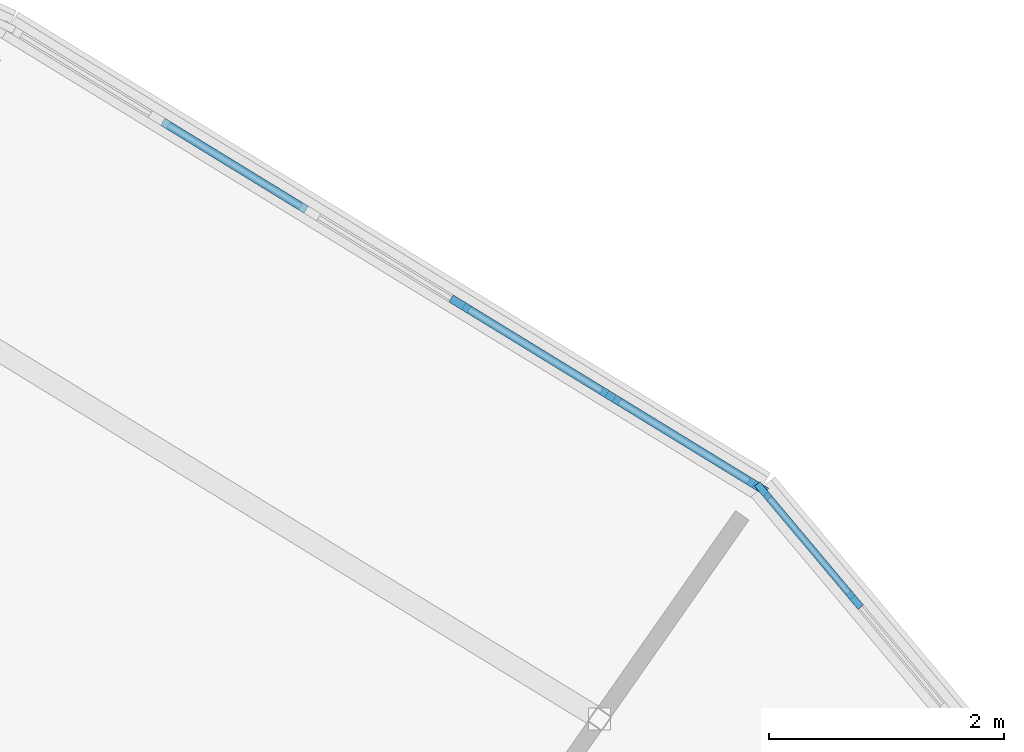
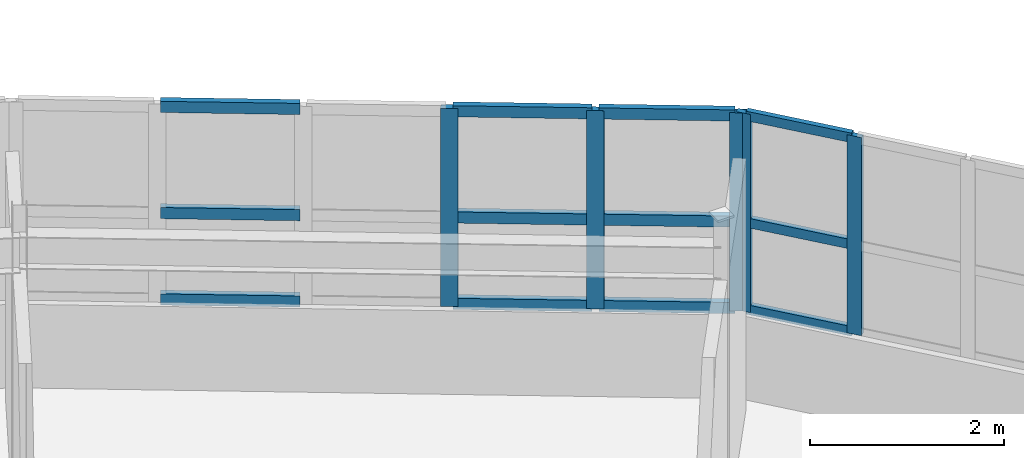
# One storey, part 44 of 79: 17 members, 2 elements without a shape of their own.
"""IFC4 building model written with IfcOpenShell, lengths in metres."""

from ifc_helpers import new_model, si_unit, direction, frame, origin, origin_2d, place, context, subcontext, project, spatial, rectangle, extrude, material, layer, layer_set, material_profile, profile_set, type_object, element, aggregate, save


model = new_model("IFC4")

# Units and contexts
model_context = context("Model", 3, precision=1e-05, world=origin(), true_north=direction((0.0, 1.0)))
body_context = subcontext(model_context, "Body", "Model", "MODEL_VIEW")
ifc_project = project(units=[si_unit("LENGTHUNIT", "METRE"), si_unit("AREAUNIT", "SQUARE_METRE"), si_unit("VOLUMEUNIT", "CUBIC_METRE"), si_unit("PLANEANGLEUNIT", "RADIAN"), si_unit("MASSUNIT", "GRAM", prefix="KILO")], contexts=[model_context])

# Site, building, storey
site_placement = place(None, origin())
site = spatial("IfcSite", under=ifc_project, at=site_placement, CompositionType="ELEMENT")
building_placement = place(site_placement, origin())
building = spatial("IfcBuilding", under=site, at=building_placement, Name="Tarnwether General Hospital", CompositionType="ELEMENT")
storey_placement = place(building_placement, frame((0.0, 0.0, 18.300048828125)))
storey = spatial("IfcBuildingStorey", under=building, at=storey_placement, Name="L04", CompositionType="ELEMENT", Elevation=18.300048828125)

# Curtain wall, members
ifc_material_1 = material(Name="Anodised aluminium", Category="aluminium")
ifc_layer_1 = layer(ifc_material_1, 0.159912109375)
ifc_layer_set_1 = layer_set([ifc_layer_1], Name="Anodised aluminium")
curtain_wall_type_1 = type_object("IfcCurtainWallType", Name="CW-04", PredefinedType="NOTDEFINED", material=ifc_layer_set_1)
curtain_wall_1_placement = place(storey_placement, origin())
curtain_wall_1 = element("IfcCurtainWall", 1, at=curtain_wall_1_placement, inside=storey, type_object=curtain_wall_type_1, Name="Curtain Wall CWG-L04-1273_1135-0053", PredefinedType="NOTDEFINED")
ifc_material_2 = material(Name="Anodised aluminium", Category="aluminium")
ifc_material_profile_1 = material_profile(ifc_material_2, rectangle(XDim=0.06005859375, YDim=0.159912109375, at=origin_2d()), Name="ALU-MUL-60x160")
ifc_profile_set_1 = profile_set([ifc_material_profile_1], Name="Anodised aluminium")
member_type_1 = type_object("IfcMemberType", Name="CW-ML1", PredefinedType="MULLION", material=ifc_profile_set_1)
member_1_placement = place(storey_placement, frame((127.351318359375, 113.43701171875, 1.050048828125), z_axis=(0.0, 0.0, 1.0), x_axis=(0.765990176896, 0.64285227611, 0.0)))
member_1 = element("IfcMember", 2, at=member_1_placement, type_object=member_type_1, Name="CW-04 mullion 1", PredefinedType="MULLION", context=body_context, shape_type="SweptSolid", body=[
    extrude(rectangle(XDim=0.06005859375, YDim=0.159912109375, at=origin_2d()), origin(), (0.0, 0.0, 1.0), 2.489990234375),
])
member_2_placement = place(storey_placement, frame((128.130859375, 112.50830078125, 1.050048828125), z_axis=(0.0, 0.0, 1.0), x_axis=(0.765990176896, 0.64285227611, 0.0)))
member_2 = element("IfcMember", 3, at=member_2_placement, type_object=member_type_1, Name="CW-04 mullion 2", PredefinedType="MULLION", context=body_context, shape_type="SweptSolid", body=[
    extrude(rectangle(XDim=0.06005859375, YDim=0.159912109375, at=origin_2d()), origin(), (0.0, 0.0, 1.0), 2.489990234375),
])

ifc_material_3 = material(Name="Anodised aluminium", Category="aluminium")
ifc_layer_2 = layer(ifc_material_3, 0.159912109375)
ifc_layer_set_2 = layer_set([ifc_layer_2], Name="Anodised aluminium")
curtain_wall_type_2 = type_object("IfcCurtainWallType", Name="CW-02", PredefinedType="NOTDEFINED", material=ifc_layer_set_2)
curtain_wall_2_placement = place(storey_placement, origin())
curtain_wall_2 = element("IfcCurtainWall", 4, at=curtain_wall_2_placement, inside=storey, type_object=curtain_wall_type_2, Name="Curtain Wall CWG-L04-1209_1174-0054", PredefinedType="NOTDEFINED")
ifc_material_4 = material(Name="Anodised aluminium", Category="aluminium")
ifc_material_profile_2 = material_profile(ifc_material_4, rectangle(XDim=0.070068359375, YDim=0.179931640625, at=origin_2d()), Name="ALU-MUL-70x180")
ifc_profile_set_2 = profile_set([ifc_material_profile_2], Name="Anodised aluminium")
member_type_2 = type_object("IfcMemberType", Name="CW-ML2", PredefinedType="MULLION", material=ifc_profile_set_2)
member_3_placement = place(storey_placement, frame((124.766845703125, 115.031982421875, 1.050048828125), z_axis=(0.0, 0.0, 1.0), x_axis=(0.522509056361, 0.852633734977, 0.0)))
member_3 = element("IfcMember", 5, at=member_3_placement, type_object=member_type_2, Name="CW-02 mullion 4", PredefinedType="MULLION", context=body_context, shape_type="SweptSolid", body=[
    extrude(rectangle(XDim=0.070068359375, YDim=0.179931640625, at=origin_2d()), origin(), (0.0, 0.0, 1.0), 2.489990234375),
])
member_4_placement = place(storey_placement, frame((126.04931640625, 114.24609375, 1.050048828125), z_axis=(0.0, 0.0, 1.0), x_axis=(0.522509056361, 0.852633734977, 0.0)))
member_4 = element("IfcMember", 6, at=member_4_placement, type_object=member_type_2, Name="CW-02 mullion 5", PredefinedType="MULLION", context=body_context, shape_type="SweptSolid", body=[
    extrude(rectangle(XDim=0.070068359375, YDim=0.179931640625, at=origin_2d()), origin(), (0.0, 0.0, 1.0), 2.489990234375),
])
member_5_placement = place(storey_placement, frame((127.30224609375, 113.478271484375, 1.050048828125), z_axis=(0.0, 0.0, 1.0), x_axis=(0.522509056361, 0.852633734977, 0.0)))
member_5 = element("IfcMember", 7, at=member_5_placement, type_object=member_type_2, Name="CW-02 mullion 6", PredefinedType="MULLION", context=body_context, shape_type="SweptSolid", body=[
    extrude(rectangle(XDim=0.070068359375, YDim=0.179931640625, at=origin_2d()), origin(), (0.0, 0.0, 1.0), 2.489990234375),
])

# Member
ifc_material_5 = material(Name="Anodised aluminium", Category="aluminium")
ifc_material_profile_3 = material_profile(ifc_material_5, rectangle(XDim=0.06005859375, YDim=0.1201171875, at=origin_2d()), Name="ALU-TRN-60x120")
ifc_profile_set_3 = profile_set([ifc_material_profile_3], Name="Anodised aluminium")
member_type_3 = type_object("IfcMemberType", Name="CW-TR1", PredefinedType="USERDEFINED", material=ifc_profile_set_3)
member_6_placement = place(storey_placement, frame((127.37060546875, 113.4140625, 1.079833984375), z_axis=(0.642889003043, -0.765959352555, 0.0), x_axis=(0.765959352555, 0.642889003043, 0.0)))
member_6 = element("IfcMember", 8, at=member_6_placement, type_object=member_type_3, Name="CW-04 transom 1.1", ObjectType="TRANSOM", PredefinedType="USERDEFINED", context=body_context, shape_type="SweptSolid", body=[
    extrude(rectangle(XDim=0.06005859375, YDim=0.1201171875, at=origin_2d()), origin(), (0.0, 0.0, 1.0), 1.152587890625),
])

member_7_placement = place(storey_placement, frame((127.37060546875, 113.4140625, 2.17041015625), z_axis=(0.642889003043, -0.765959352555, 0.0), x_axis=(0.765959352555, 0.642889003043, 0.0)))
member_7 = element("IfcMember", 9, at=member_7_placement, type_object=member_type_3, Name="CW-04 transom 1.2", ObjectType="TRANSOM", PredefinedType="USERDEFINED", context=body_context, shape_type="SweptSolid", body=[
    extrude(rectangle(XDim=0.06005859375, YDim=0.1201171875, at=origin_2d()), origin(), (0.0, 0.0, 1.0), 1.152587890625),
])

member_8_placement = place(storey_placement, frame((127.37060546875, 113.4140625, 3.510009765625), z_axis=(0.642889003043, -0.765959352555, 0.0), x_axis=(0.765959352555, 0.642889003043, 0.0)))
member_8 = element("IfcMember", 10, at=member_8_placement, type_object=member_type_3, Name="CW-04 transom 1.3", ObjectType="TRANSOM", PredefinedType="USERDEFINED", context=body_context, shape_type="SweptSolid", body=[
    extrude(rectangle(XDim=0.06005859375, YDim=0.1201171875, at=origin_2d()), origin(), (0.0, 0.0, 1.0), 1.152587890625),
])

aggregate(curtain_wall_1, [member_1, member_2, member_6, member_7, member_8])

ifc_material_6 = material(Name="Anodised aluminium", Category="aluminium")
ifc_material_profile_4 = material_profile(ifc_material_6, rectangle(XDim=0.070068359375, YDim=0.139892578125, at=origin_2d()), Name="ALU-TRN-70x140")
ifc_profile_set_4 = profile_set([ifc_material_profile_4], Name="Anodised aluminium")
member_type_4 = type_object("IfcMemberType", Name="CW-TR2", PredefinedType="USERDEFINED", material=ifc_profile_set_4)
member_9_placement = place(storey_placement, frame((122.2314453125, 116.585693359375, 1.0849609375), z_axis=(0.85260369875, -0.522558066513, 0.0), x_axis=(0.522558066513, 0.85260369875, 0.0)))
member_9 = element("IfcMember", 11, at=member_9_placement, type_object=member_type_4, Name="CW-02 transom 2.1", ObjectType="TRANSOM", PredefinedType="USERDEFINED", context=body_context, shape_type="SweptSolid", body=[
    extrude(rectangle(XDim=0.070068359375, YDim=0.139892578125, at=origin_2d()), origin(), (0.0, 0.0, 1.0), 1.434326171875),
])

member_10_placement = place(storey_placement, frame((122.2314453125, 116.585693359375, 2.17041015625), z_axis=(0.85260369875, -0.522558066513, 0.0), x_axis=(0.522558066513, 0.85260369875, 0.0)))
member_10 = element("IfcMember", 12, at=member_10_placement, type_object=member_type_4, Name="CW-02 transom 2.2", ObjectType="TRANSOM", PredefinedType="USERDEFINED", context=body_context, shape_type="SweptSolid", body=[
    extrude(rectangle(XDim=0.070068359375, YDim=0.139892578125, at=origin_2d()), origin(), (0.0, 0.0, 1.0), 1.434326171875),
])

member_11_placement = place(storey_placement, frame((122.2314453125, 116.585693359375, 3.5048828125), z_axis=(0.85260369875, -0.522558066513, 0.0), x_axis=(0.522558066513, 0.85260369875, 0.0)))
member_11 = element("IfcMember", 13, at=member_11_placement, type_object=member_type_4, Name="CW-02 transom 2.3", ObjectType="TRANSOM", PredefinedType="USERDEFINED", context=body_context, shape_type="SweptSolid", body=[
    extrude(rectangle(XDim=0.070068359375, YDim=0.139892578125, at=origin_2d()), origin(), (0.0, 0.0, 1.0), 1.434326171875),
])

member_12_placement = place(storey_placement, frame((124.796630859375, 115.013671875, 1.0849609375), z_axis=(0.852679532957, -0.522434315561, 0.0), x_axis=(0.522434315561, 0.852679532957, 0.0)))
member_12 = element("IfcMember", 14, at=member_12_placement, type_object=member_type_4, Name="CW-02 transom 4.1", ObjectType="TRANSOM", PredefinedType="USERDEFINED", context=body_context, shape_type="SweptSolid", body=[
    extrude(rectangle(XDim=0.070068359375, YDim=0.139892578125, at=origin_2d()), origin(), (0.0, 0.0, 1.0), 1.43408203125),
])

member_13_placement = place(storey_placement, frame((124.796630859375, 115.013671875, 2.17041015625), z_axis=(0.852679532957, -0.522434315561, 0.0), x_axis=(0.522434315561, 0.852679532957, 0.0)))
member_13 = element("IfcMember", 15, at=member_13_placement, type_object=member_type_4, Name="CW-02 transom 4.2", ObjectType="TRANSOM", PredefinedType="USERDEFINED", context=body_context, shape_type="SweptSolid", body=[
    extrude(rectangle(XDim=0.070068359375, YDim=0.139892578125, at=origin_2d()), origin(), (0.0, 0.0, 1.0), 1.43408203125),
])

member_14_placement = place(storey_placement, frame((124.796630859375, 115.013671875, 3.5048828125), z_axis=(0.852679532957, -0.522434315561, 0.0), x_axis=(0.522434315561, 0.852679532957, 0.0)))
member_14 = element("IfcMember", 16, at=member_14_placement, type_object=member_type_4, Name="CW-02 transom 4.3", ObjectType="TRANSOM", PredefinedType="USERDEFINED", context=body_context, shape_type="SweptSolid", body=[
    extrude(rectangle(XDim=0.070068359375, YDim=0.139892578125, at=origin_2d()), origin(), (0.0, 0.0, 1.0), 1.43408203125),
])

member_15_placement = place(storey_placement, frame((126.079345703125, 114.227783203125, 1.0849609375), z_axis=(0.852573664934, -0.52260706641, 0.0), x_axis=(0.52260706641, 0.852573664934, 0.0)))
member_15 = element("IfcMember", 17, at=member_15_placement, type_object=member_type_4, Name="CW-02 transom 5.1", ObjectType="TRANSOM", PredefinedType="USERDEFINED", context=body_context, shape_type="SweptSolid", body=[
    extrude(rectangle(XDim=0.070068359375, YDim=0.139892578125, at=origin_2d()), origin(), (0.0, 0.0, 1.0), 1.399169921875),
])

member_16_placement = place(storey_placement, frame((126.079345703125, 114.227783203125, 2.17041015625), z_axis=(0.852573664934, -0.52260706641, 0.0), x_axis=(0.52260706641, 0.852573664934, 0.0)))
member_16 = element("IfcMember", 18, at=member_16_placement, type_object=member_type_4, Name="CW-02 transom 5.2", ObjectType="TRANSOM", PredefinedType="USERDEFINED", context=body_context, shape_type="SweptSolid", body=[
    extrude(rectangle(XDim=0.070068359375, YDim=0.139892578125, at=origin_2d()), origin(), (0.0, 0.0, 1.0), 1.399169921875),
])

member_17_placement = place(storey_placement, frame((126.079345703125, 114.227783203125, 3.5048828125), z_axis=(0.852573664934, -0.52260706641, 0.0), x_axis=(0.52260706641, 0.852573664934, 0.0)))
member_17 = element("IfcMember", 19, at=member_17_placement, type_object=member_type_4, Name="CW-02 transom 5.3", ObjectType="TRANSOM", PredefinedType="USERDEFINED", context=body_context, shape_type="SweptSolid", body=[
    extrude(rectangle(XDim=0.070068359375, YDim=0.139892578125, at=origin_2d()), origin(), (0.0, 0.0, 1.0), 1.399169921875),
])

aggregate(curtain_wall_2, [member_3, member_4, member_5, member_9, member_10, member_11, member_12, member_13, member_14, member_15, member_16, member_17])

save(model, "model.ifc")
